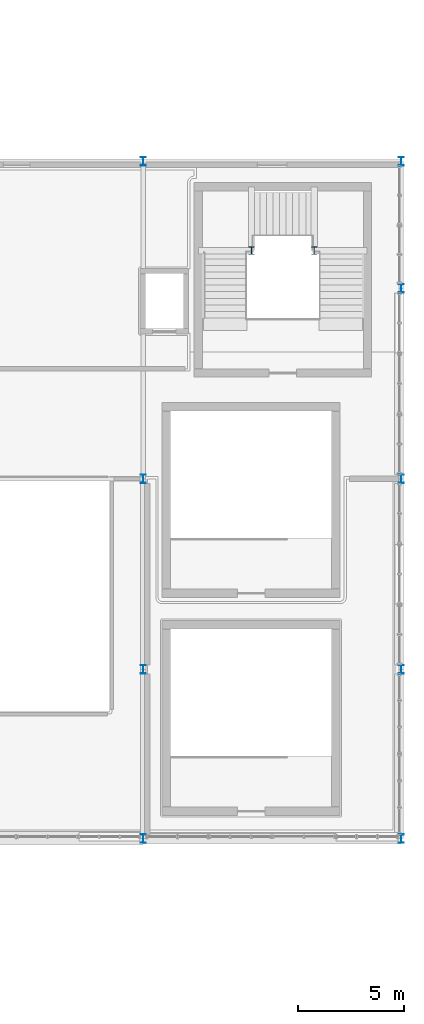
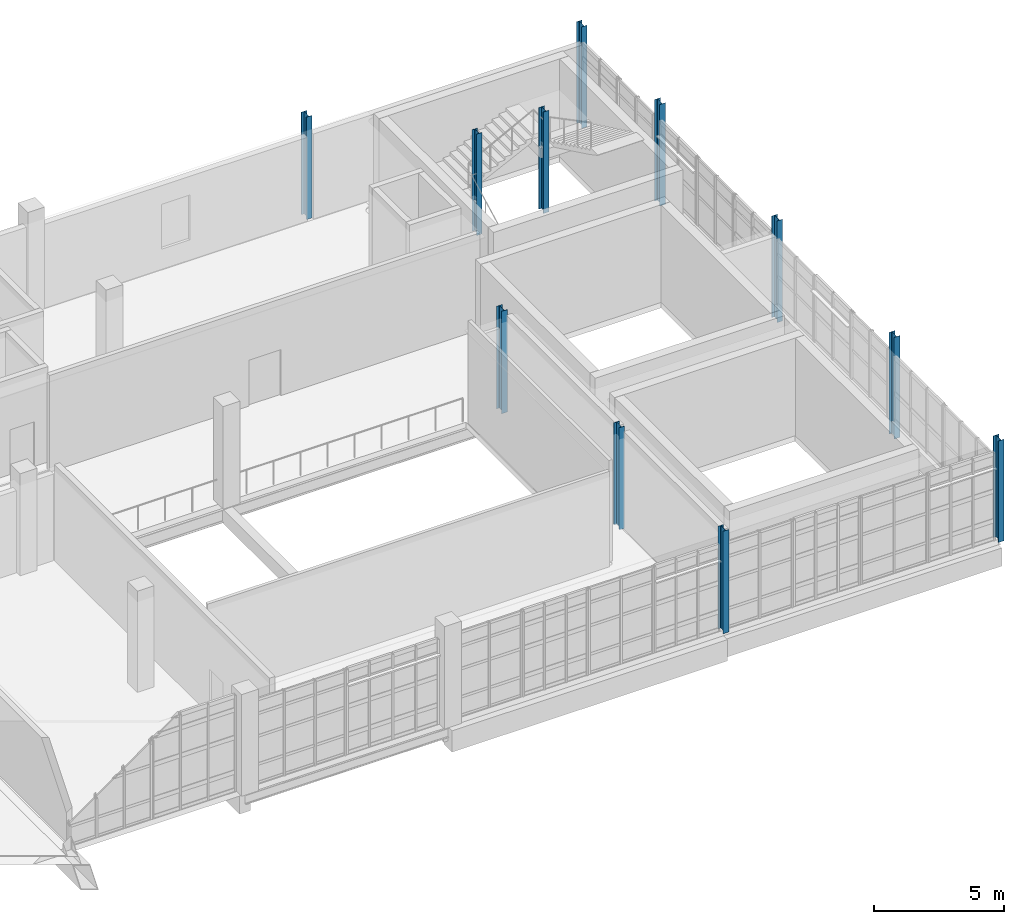
# One storey, part 11 of 102: 11 columns.
"""IFC4 building model written with IfcOpenShell, lengths in metres."""

from ifc_helpers import new_model, si_unit, derived_unit, direction, frame, origin, origin_2d, place, context, subcontext, project, spatial, i_section, extrude, material, material_profile, profile_set, type_object, element, save


model = new_model("IFC4")

# Units and contexts
model_context = context("Model", 3, precision=1e-05, world=origin(), true_north=direction((0.0, 1.0)))
body_context = subcontext(model_context, "Body", "Model", "MODEL_VIEW")
ifc_project = project(units=[si_unit("LENGTHUNIT", "METRE"), si_unit("AREAUNIT", "SQUARE_METRE"), si_unit("VOLUMEUNIT", "CUBIC_METRE"), si_unit("PLANEANGLEUNIT", "RADIAN"), si_unit("MASSUNIT", "GRAM", prefix="KILO"), derived_unit("THERMALTRANSMITTANCEUNIT", [(si_unit("POWERUNIT", "WATT"), 1), (si_unit("LENGTHUNIT", "METRE"), -2), (si_unit("THERMODYNAMICTEMPERATUREUNIT", "KELVIN"), -1)])], contexts=[model_context])

# Site, building, storey
site_placement = place(None, origin())
site = spatial("IfcSite", under=ifc_project, at=site_placement, CompositionType="ELEMENT")
building_placement = place(site_placement, origin())
building = spatial("IfcBuilding", under=site, at=building_placement, Name="Nallur Shell Playhouse", CompositionType="ELEMENT")
storey_placement = place(building_placement, frame((0.0, 0.0, 15.0)))
storey = spatial("IfcBuildingStorey", under=building, at=storey_placement, Name="L04", CompositionType="ELEMENT", Elevation=15.0)

# Columns
ifc_material = material(Name="Steel E350", Category="steel")
ifc_material_profile_1 = material_profile(ifc_material, i_section(OverallWidth=0.25, OverallDepth=0.35009765625, WebThickness=0.010009765625, FlangeThickness=0.01171875, FilletRadius=0.011962890625, at=origin_2d()), Name="ISHB 350")
ifc_profile_set_1 = profile_set([ifc_material_profile_1], Name="Steel E350")
column_type_1 = type_object("IfcColumnType", Name="CL-ST-ISHB350", PredefinedType="COLUMN", material=ifc_profile_set_1)
for number, where, z_axis, x_axis, name in (
    (1, (152.719970703125, 51.780029296875, 0.0), (0.0, 0.0, 1.0), (1.0, 0.0, 0.0), "Column STW-JC-5-W (L04)"),
    (2, (155.679931640625, 51.780029296875, 0.0), (0.0, 0.0, 1.0), (1.0, 0.0, 0.0), "Column STW-JC-5-E (L04)"),
):
    element("IfcColumn", number, at=place(storey_placement, frame(where, z_axis=z_axis, x_axis=x_axis)), inside=storey, type_object=column_type_1, Name=name, PredefinedType="COLUMN", context=body_context, shape_type="SweptSolid", body=[
        extrude(i_section(OverallWidth=0.25, OverallDepth=0.35009765625, WebThickness=0.010009765625, FlangeThickness=0.01171875, FilletRadius=0.011962890625, at=origin_2d()), origin(), (0.0, 0.0, 1.0), 4.760009765625),
    ])
ifc_material_profile_2 = material_profile(ifc_material, i_section(OverallWidth=0.25, OverallDepth=0.39990234375, WebThickness=0.010498046875, FlangeThickness=0.0126953125, FilletRadius=0.013916015625, at=origin_2d()), Name="ISHB 400")
ifc_profile_set_2 = profile_set([ifc_material_profile_2], Name="Steel E350")
column_type_2 = type_object("IfcColumnType", Name="CL-ST-ISHB400", PredefinedType="COLUMN", material=ifc_profile_set_2)
for number, where, z_axis, x_axis, name in (
    (3, (147.60009765625, 24.0, 0.0), (0.0, 0.0, 1.0), (1.0, 0.0, 0.0), "Column 18-C (L04)"),
    (4, (147.60009765625, 32.0, 0.0), (0.0, 0.0, 1.0), (1.0, 0.0, 0.0), "Column 18-D (L04)"),
    (5, (147.60009765625, 41.0, 0.0), (0.0, 0.0, 1.0), (1.0, 0.0, 0.0), "Column 18-E (L04)"),
    (6, (147.60009765625, 56.0, 0.0), (0.0, 0.0, 1.0), (1.0, 0.0, 0.0), "Column 18-G (L04)"),
):
    element("IfcColumn", number, at=place(storey_placement, frame(where, z_axis=z_axis, x_axis=x_axis)), inside=storey, type_object=column_type_2, Name=name, PredefinedType="COLUMN", context=body_context, shape_type="SweptSolid", body=[
        extrude(i_section(OverallWidth=0.25, OverallDepth=0.39990234375, WebThickness=0.010498046875, FlangeThickness=0.0126953125, FilletRadius=0.013916015625, at=origin_2d()), origin(), (0.0, 0.0, 1.0), 4.800048828125),
    ])
for number, where, z_axis, x_axis, name in (
    (7, (159.800048828125, 24.0, 0.0), (0.0, 0.0, 1.0), (1.0, 0.0, 0.0), "Column 19-C (L04)"),
    (8, (159.800048828125, 32.0, 0.0), (0.0, 0.0, 1.0), (1.0, 0.0, 0.0), "Column 19-D (L04)"),
    (9, (159.800048828125, 41.0, 0.0), (0.0, 0.0, 1.0), (1.0, 0.0, 0.0), "Column 19-E (L04)"),
    (10, (159.800048828125, 50.0, 0.0), (0.0, 0.0, 1.0), (1.0, 0.0, 0.0), "Column 19-F (L04)"),
    (11, (159.800048828125, 56.0, 0.0), (0.0, 0.0, 1.0), (1.0, 0.0, 0.0), "Column 19-G (L04)"),
):
    element("IfcColumn", number, at=place(storey_placement, frame(where, z_axis=z_axis, x_axis=x_axis)), inside=storey, type_object=column_type_2, Name=name, PredefinedType="COLUMN", context=body_context, shape_type="SweptSolid", body=[
        extrude(i_section(OverallWidth=0.25, OverallDepth=0.39990234375, WebThickness=0.010498046875, FlangeThickness=0.0126953125, FilletRadius=0.013916015625, at=origin_2d()), origin(), (0.0, 0.0, 1.0), 4.760009765625),
    ])

save(model, "model.ifc")
